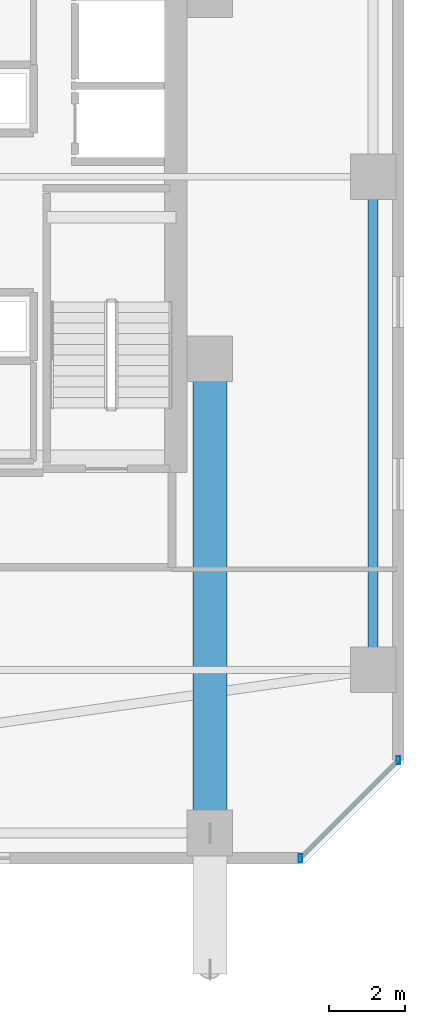
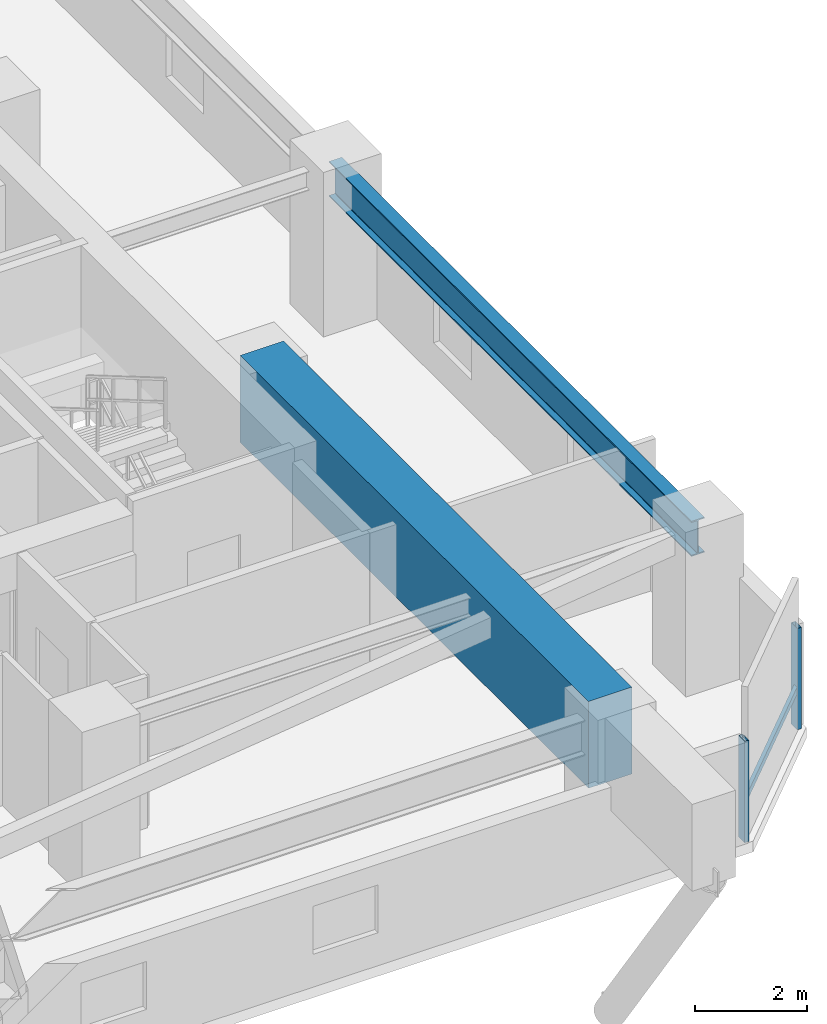
# One storey, part 13 of 36: 3 members, 2 beams, 1 element without a shape of its own.
"""IFC4 building model written with IfcOpenShell, lengths in metres."""

from ifc_helpers import new_model, si_unit, direction, frame, origin, origin_2d, place, context, subcontext, project, spatial, rectangle, hollow_rectangle, i_section, extrude, material, material_profile, profile_set, type_object, element, aggregate, save


model = new_model("IFC4")

# Units and contexts
model_context = context("Model", 3, precision=1e-05, world=origin(), true_north=direction((0.0, 1.0)))
body_context = subcontext(model_context, "Body", "Model", "MODEL_VIEW")
ifc_project = project(units=[si_unit("LENGTHUNIT", "METRE"), si_unit("AREAUNIT", "SQUARE_METRE"), si_unit("VOLUMEUNIT", "CUBIC_METRE"), si_unit("PLANEANGLEUNIT", "RADIAN"), si_unit("MASSUNIT", "GRAM", prefix="KILO")], contexts=[model_context])

# Site, building, storey
site_placement = place(None, origin())
site = spatial("IfcSite", under=ifc_project, at=site_placement, CompositionType="ELEMENT")
building_placement = place(site_placement, origin())
building = spatial("IfcBuilding", under=site, at=building_placement, Name="Thornwick Lancets Civic Towers", CompositionType="ELEMENT")
storey_placement = place(building_placement, frame((0.0, 0.0, 94.5)))
storey = spatial("IfcBuildingStorey", under=building, at=storey_placement, Name="L24", CompositionType="ELEMENT", Elevation=94.5)

# Beams
ifc_material_1 = material(Name="Steel S355JR", Category="steel")
ifc_material_profile_1 = material_profile(ifc_material_1, i_section(OverallWidth=0.26806640625, OverallDepth=0.769775390625, WebThickness=0.015625, FlangeThickness=0.025390625, FilletRadius=0.0166015625, at=origin_2d()), Name="UKB 762x267x197")
ifc_profile_set_1 = profile_set([ifc_material_profile_1], Name="Steel S355JR")
beam_type_1 = type_object("IfcBeamType", Name="BM_GIRD_762_197", PredefinedType="BEAM", material=ifc_profile_set_1)
beam_1_placement = place(storey_placement, frame((105.800048828125, 14.0, 2.93505859375), z_axis=(0.0, 1.0, 0.0), x_axis=(-1.0, 0.0, 0.0)))
element("IfcBeam", 1, at=beam_1_placement, inside=storey, type_object=beam_type_1, Name="BM-SPINE-L24-B-0-1", PredefinedType="BEAM", context=body_context, shape_type="SweptSolid", body=[
    extrude(i_section(OverallWidth=0.26806640625, OverallDepth=0.769775390625, WebThickness=0.015625, FlangeThickness=0.025390625, FilletRadius=0.0166015625, at=origin_2d()), origin(), (0.0, 0.0, 1.0), 13.0),
])
ifc_material_2 = material(Name="Concrete C60/75", Category="concrete")
ifc_material_profile_2 = material_profile(ifc_material_2, rectangle(XDim=0.89990234375, YDim=1.89990234375, at=origin_2d()), Name="RC 900x1900")
ifc_profile_set_2 = profile_set([ifc_material_profile_2], Name="Concrete C60/75")
beam_type_2 = type_object("IfcBeamType", Name="BM_TR_RC1900", PredefinedType="BEAM", material=ifc_profile_set_2)
beam_2_placement = place(storey_placement, frame((101.5, 22.199951171875, 2.64990234375), z_axis=(0.0, -1.0, 0.0), x_axis=(1.0, 0.0, 0.0)))
element("IfcBeam", 2, at=beam_2_placement, inside=storey, type_object=beam_type_2, Name="TG-BACK-L25-B10", PredefinedType="BEAM", context=body_context, shape_type="SweptSolid", body=[
    extrude(rectangle(XDim=0.89990234375, YDim=1.89990234375, at=origin_2d()), origin(), (0.0, 0.0, 1.0), 12.5),
])

# Curtain wall, members
ifc_material_3 = material(Name="Low-zone chamfered-corner unitised glass curtain wall", Category="glass")
curtain_wall_type = type_object("IfcCurtainWallType", Name="CW_SYS_03", PredefinedType="NOTDEFINED", material=ifc_material_3)
curtain_wall_placement = place(storey_placement, origin())
curtain_wall = element("IfcCurtainWall", 3, at=curtain_wall_placement, inside=storey, type_object=curtain_wall_type, Name="L24 Curtain Wall CW-L24-B-E1", PredefinedType="NOTDEFINED")
ifc_material_4 = material(Name="Thermally broken bronze aluminium S355", Category="steel")
ifc_material_profile_3 = material_profile(ifc_material_4, hollow_rectangle(XDim=0.090087890625, YDim=0.219970703125, WallThickness=0.00634765625, at=origin_2d()), Name="RHS 220x90x6.3")
ifc_profile_set_3 = profile_set([ifc_material_profile_3], Name="Thermally broken bronze aluminium S355")
member_type_1 = type_object("IfcMemberType", Name="CW_MUL_220", PredefinedType="MULLION", material=ifc_profile_set_3)
member_1_placement = place(storey_placement, frame((103.88134765625, 9.035400390625, 0.0), z_axis=(0.0, 0.0, 1.0), x_axis=(1.0, 0.0, 0.0)))
member_1 = element("IfcMember", 4, at=member_1_placement, type_object=member_type_1, Name="CW-L24-B-E1 Mullion 0", PredefinedType="MULLION", context=body_context, shape_type="SweptSolid", body=[
    extrude(hollow_rectangle(XDim=0.090087890625, YDim=0.219970703125, WallThickness=0.00634765625, at=origin_2d()), origin(), (0.0, 0.0, 1.0), 2.219970703125),
])
member_2_placement = place(storey_placement, frame((106.464599609375, 11.61865234375, 0.0), z_axis=(0.0, 0.0, 1.0), x_axis=(1.0, 0.0, 0.0)))
member_2 = element("IfcMember", 5, at=member_2_placement, type_object=member_type_1, Name="CW-L24-B-E1 Mullion 1", PredefinedType="MULLION", context=body_context, shape_type="SweptSolid", body=[
    extrude(hollow_rectangle(XDim=0.090087890625, YDim=0.219970703125, WallThickness=0.00634765625, at=origin_2d()), origin(), (0.0, 0.0, 1.0), 2.219970703125),
])
ifc_material_profile_4 = material_profile(ifc_material_4, hollow_rectangle(XDim=0.074951171875, YDim=0.14990234375, WallThickness=0.0048828125, at=origin_2d()), Name="RHS 150x75x5")
ifc_profile_set_4 = profile_set([ifc_material_profile_4], Name="Thermally broken bronze aluminium S355")
member_type_2 = type_object("IfcMemberType", Name="CW_TRN_150", PredefinedType="USERDEFINED", material=ifc_profile_set_4)
member_3_placement = place(storey_placement, frame((103.8955078125, 9.04931640625, 0.85009765625), z_axis=(0.707106781187, 0.707106781187, 0.0), x_axis=(-0.707106781187, 0.707106781187, 0.0)))
member_3 = element("IfcMember", 6, at=member_3_placement, type_object=member_type_2, Name="CW-L24-B-E1 Transom 0", ObjectType="TRANSOM", PredefinedType="USERDEFINED", context=body_context, shape_type="SweptSolid", body=[
    extrude(hollow_rectangle(XDim=0.074951171875, YDim=0.14990234375, WallThickness=0.0048828125, at=origin_2d()), origin(), (0.0, 0.0, 1.0), 3.613525390625),
])
aggregate(curtain_wall, [member_1, member_2, member_3])

save(model, "model.ifc")
